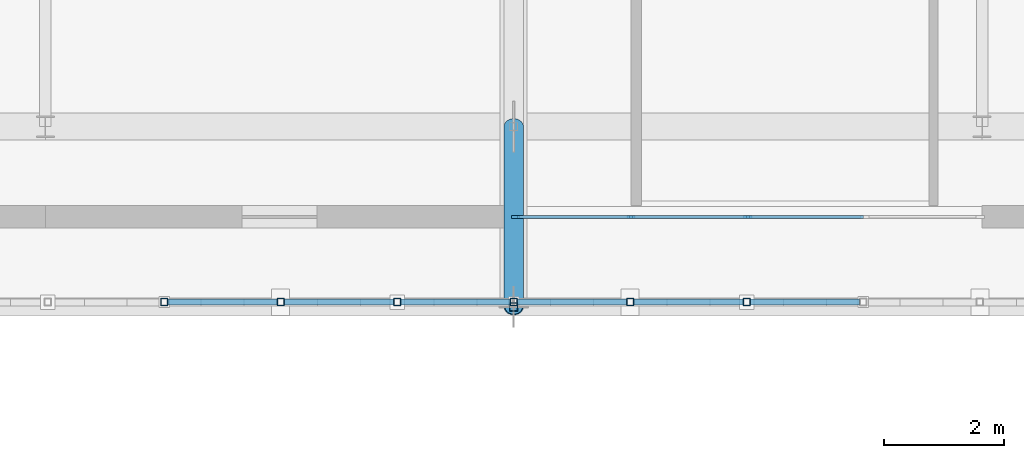
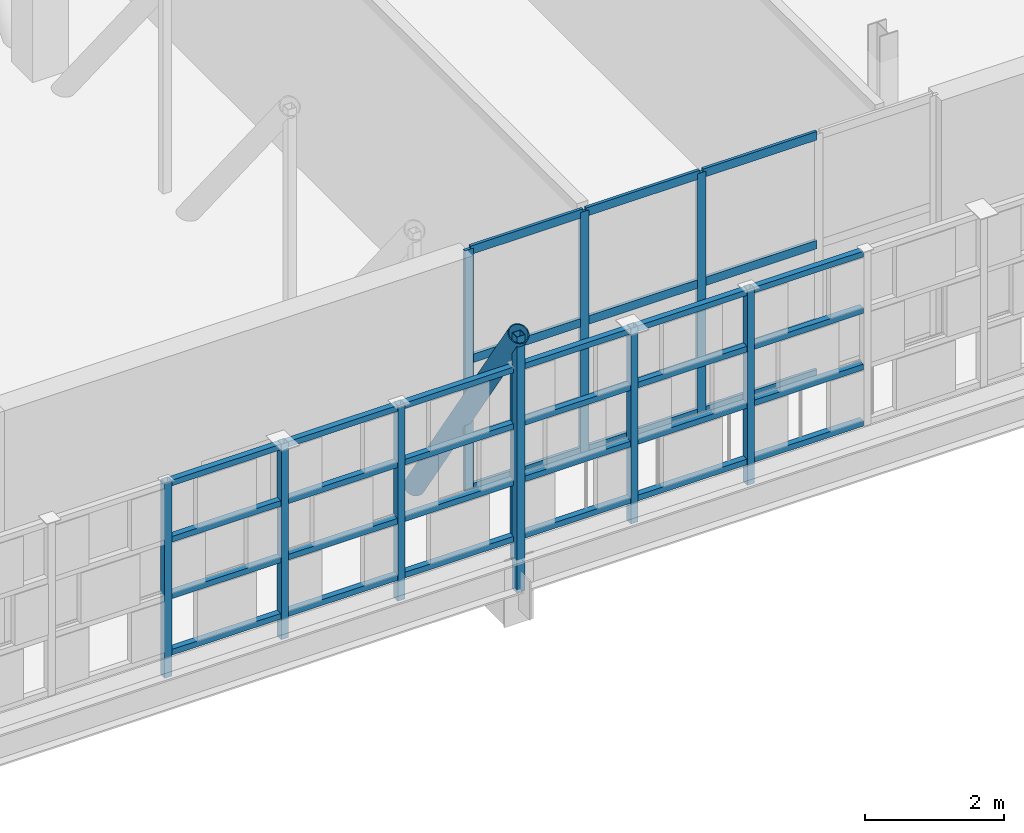
# One storey, part 35 of 119: 47 members, 1 element without a shape of its own.
"""IFC4 building model written with IfcOpenShell, lengths in metres."""

from ifc_helpers import new_model, si_unit, direction, frame, origin, origin_2d, place, context, subcontext, project, spatial, rectangle, hollow_rectangle, hollow_circle, extrude, material, layer, layer_set, material_profile, profile_set, type_object, element, aggregate, save


model = new_model("IFC4")

# Units and contexts
model_context = context("Model", 3, precision=1e-05, world=origin(), true_north=direction((0.0, 1.0)))
body_context = subcontext(model_context, "Body", "Model", "MODEL_VIEW")
ifc_project = project(units=[si_unit("LENGTHUNIT", "METRE"), si_unit("AREAUNIT", "SQUARE_METRE"), si_unit("VOLUMEUNIT", "CUBIC_METRE"), si_unit("PLANEANGLEUNIT", "RADIAN"), si_unit("MASSUNIT", "GRAM", prefix="KILO")], contexts=[model_context])

# Site, building, storey
site_placement = place(None, origin())
site = spatial("IfcSite", under=ifc_project, at=site_placement, CompositionType="ELEMENT")
building_placement = place(site_placement, origin())
building = spatial("IfcBuilding", under=site, at=building_placement, Name="Celorna Specialist Clinic", CompositionType="ELEMENT")
storey_placement = place(building_placement, frame((0.0, 0.0, 9.60009765625)))
storey = spatial("IfcBuildingStorey", under=building, at=storey_placement, Name="L02", CompositionType="ELEMENT", Elevation=9.60009765625)

# Members
ifc_material_1 = material(Name="Steel S355", Category="steel")
ifc_material_profile_1 = material_profile(ifc_material_1, hollow_circle(Radius=0.161865234375, WallThickness=0.01611328125, at=origin_2d()), Name="CHS 323.9x16")
ifc_profile_set_1 = profile_set([ifc_material_profile_1], Name="Steel S355")
member_type_1 = type_object("IfcMemberType", Name="MB-05", PredefinedType="BRACE", material=ifc_profile_set_1)
member_1_placement = place(storey_placement, frame((70.199951171875, 5.699951171875, 3.664794921875), z_axis=(0.0, 0.554700196225, -0.832050294338), x_axis=(-1.0, 0.0, 0.0)))
element("IfcMember", 1, at=member_1_placement, inside=storey, type_object=member_type_1, Name="Cantilever Pratt truss web diagonal WP-039-WP-049", PredefinedType="BRACE", context=body_context, shape_type="SweptSolid", body=[
    extrude(hollow_circle(Radius=0.161865234375, WallThickness=0.01611328125, at=origin_2d()), origin(), (0.0, 0.0, 1.0), 5.408447265625),
])
ifc_material_profile_2 = material_profile(ifc_material_1, hollow_rectangle(XDim=0.139892578125, YDim=0.139892578125, WallThickness=0.008056640625, at=origin_2d()), Name="SHS 140x140x8")
ifc_profile_set_2 = profile_set([ifc_material_profile_2], Name="Steel S355")
member_type_2 = type_object("IfcMemberType", Name="MB-10", PredefinedType="CHORD", material=ifc_profile_set_2)
member_2_placement = place(storey_placement, frame((70.199951171875, 5.699951171875, -0.835205078125), z_axis=(0.0, 0.0, 1.0), x_axis=(1.0, 0.0, 0.0)))
element("IfcMember", 2, at=member_2_placement, inside=storey, type_object=member_type_2, Name="Cantilever Pratt truss vertical post WP-034-WP-039", PredefinedType="CHORD", context=body_context, shape_type="SweptSolid", body=[
    extrude(hollow_rectangle(XDim=0.139892578125, YDim=0.139892578125, WallThickness=0.008056640625, at=origin_2d()), origin(), (0.0, 0.0, 1.0), 4.5),
])
ifc_material_profile_3 = material_profile(ifc_material_1, hollow_rectangle(XDim=0.1201171875, YDim=0.1201171875, WallThickness=0.008056640625, at=origin_2d()), Name="SHS 120x120x8")
ifc_profile_set_3 = profile_set([ifc_material_profile_3], Name="Steel S355")
member_type_3 = type_object("IfcMemberType", Name="MB-11", PredefinedType="STUD", material=ifc_profile_set_3)
for number, where, z_axis, x_axis, name in (
    (3, (64.3798828125, 5.780029296875, -0.360107421875), (0.0, 0.0, 1.0), (1.0, 0.0, 0.0), "Perforated screen steel post #6"),
    (4, (66.320068359375, 5.780029296875, -0.360107421875), (0.0, 0.0, 1.0), (1.0, 0.0, 0.0), "Perforated screen steel post #7"),
    (5, (68.260009765625, 5.780029296875, -0.360107421875), (0.0, 0.0, 1.0), (1.0, 0.0, 0.0), "Perforated screen steel post #8"),
    (6, (70.199951171875, 5.780029296875, -0.360107421875), (0.0, 0.0, 1.0), (1.0, 0.0, 0.0), "Perforated screen steel post #9"),
    (7, (72.139892578125, 5.780029296875, -0.360107421875), (0.0, 0.0, 1.0), (1.0, 0.0, 0.0), "Perforated screen steel post #10"),
    (8, (74.080078125, 5.780029296875, -0.360107421875), (0.0, 0.0, 1.0), (1.0, 0.0, 0.0), "Perforated screen steel post #11"),
):
    element("IfcMember", number, at=place(storey_placement, frame(where, z_axis=z_axis, x_axis=x_axis)), inside=storey, type_object=member_type_3, Name=name, PredefinedType="STUD", context=body_context, shape_type="SweptSolid", body=[
        extrude(hollow_rectangle(XDim=0.1201171875, YDim=0.1201171875, WallThickness=0.008056640625, at=origin_2d()), origin(), (0.0, 0.0, 1.0), 3.43994140625),
    ])
ifc_material_profile_4 = material_profile(ifc_material_1, hollow_rectangle(XDim=0.10009765625, YDim=0.10009765625, WallThickness=0.006103515625, at=origin_2d()), Name="SHS 100x100x6")
ifc_profile_set_4 = profile_set([ifc_material_profile_4], Name="Steel S355")
member_type_4 = type_object("IfcMemberType", Name="MB-12", PredefinedType="STUD", material=ifc_profile_set_4)
for number, where, z_axis, x_axis, name in (
    (9, (64.43994140625, 5.780029296875, 0.0498046875), (1.0, 0.0, 0.0), (0.0, 1.0, 0.0), "Perforated screen rail #38"),
    (10, (64.43994140625, 5.780029296875, 1.043212890625), (1.0, 0.0, 0.0), (0.0, 1.0, 0.0), "Perforated screen rail #39"),
    (11, (64.43994140625, 5.780029296875, 2.03662109375), (1.0, 0.0, 0.0), (0.0, 1.0, 0.0), "Perforated screen rail #40"),
    (12, (64.43994140625, 5.780029296875, 3.02978515625), (1.0, 0.0, 0.0), (0.0, 1.0, 0.0), "Perforated screen rail #41"),
    (13, (66.3798828125, 5.780029296875, 0.0498046875), (1.0, 0.0, 0.0), (0.0, 1.0, 0.0), "Perforated screen rail #42"),
    (14, (66.3798828125, 5.780029296875, 1.043212890625), (1.0, 0.0, 0.0), (0.0, 1.0, 0.0), "Perforated screen rail #43"),
    (15, (66.3798828125, 5.780029296875, 2.03662109375), (1.0, 0.0, 0.0), (0.0, 1.0, 0.0), "Perforated screen rail #44"),
    (16, (66.3798828125, 5.780029296875, 3.02978515625), (1.0, 0.0, 0.0), (0.0, 1.0, 0.0), "Perforated screen rail #45"),
):
    element("IfcMember", number, at=place(storey_placement, frame(where, z_axis=z_axis, x_axis=x_axis)), inside=storey, type_object=member_type_4, Name=name, PredefinedType="STUD", context=body_context, shape_type="SweptSolid", body=[
        extrude(hollow_rectangle(XDim=0.10009765625, YDim=0.10009765625, WallThickness=0.006103515625, at=origin_2d()), origin(), (0.0, 0.0, 1.0), 1.820068359375),
    ])
for number, where, z_axis, x_axis, name in (
    (17, (68.320068359375, 5.780029296875, 0.0498046875), (1.0, 0.0, 0.0), (0.0, 1.0, 0.0), "Perforated screen rail #46"),
    (18, (68.320068359375, 5.780029296875, 1.043212890625), (1.0, 0.0, 0.0), (0.0, 1.0, 0.0), "Perforated screen rail #47"),
    (19, (68.320068359375, 5.780029296875, 2.03662109375), (1.0, 0.0, 0.0), (0.0, 1.0, 0.0), "Perforated screen rail #48"),
    (20, (68.320068359375, 5.780029296875, 3.02978515625), (1.0, 0.0, 0.0), (0.0, 1.0, 0.0), "Perforated screen rail #49"),
):
    element("IfcMember", number, at=place(storey_placement, frame(where, z_axis=z_axis, x_axis=x_axis)), inside=storey, type_object=member_type_4, Name=name, PredefinedType="STUD", context=body_context, shape_type="SweptSolid", body=[
        extrude(hollow_rectangle(XDim=0.10009765625, YDim=0.10009765625, WallThickness=0.006103515625, at=origin_2d()), origin(), (0.0, 0.0, 1.0), 1.81982421875),
    ])
for number, where, z_axis, x_axis, name in (
    (21, (70.260009765625, 5.780029296875, 0.0498046875), (1.0, 0.0, 0.0), (0.0, 1.0, 0.0), "Perforated screen rail #50"),
    (22, (70.260009765625, 5.780029296875, 1.043212890625), (1.0, 0.0, 0.0), (0.0, 1.0, 0.0), "Perforated screen rail #51"),
    (23, (70.260009765625, 5.780029296875, 2.03662109375), (1.0, 0.0, 0.0), (0.0, 1.0, 0.0), "Perforated screen rail #52"),
    (24, (70.260009765625, 5.780029296875, 3.02978515625), (1.0, 0.0, 0.0), (0.0, 1.0, 0.0), "Perforated screen rail #53"),
    (25, (72.199951171875, 5.780029296875, 0.0498046875), (1.0, 0.0, 0.0), (0.0, 1.0, 0.0), "Perforated screen rail #54"),
    (26, (72.199951171875, 5.780029296875, 1.043212890625), (1.0, 0.0, 0.0), (0.0, 1.0, 0.0), "Perforated screen rail #55"),
    (27, (72.199951171875, 5.780029296875, 2.03662109375), (1.0, 0.0, 0.0), (0.0, 1.0, 0.0), "Perforated screen rail #56"),
    (28, (72.199951171875, 5.780029296875, 3.02978515625), (1.0, 0.0, 0.0), (0.0, 1.0, 0.0), "Perforated screen rail #57"),
    (29, (74.139892578125, 5.780029296875, 0.0498046875), (1.0, 0.0, 0.0), (0.0, 1.0, 0.0), "Perforated screen rail #58"),
    (30, (74.139892578125, 5.780029296875, 1.043212890625), (1.0, 0.0, 0.0), (0.0, 1.0, 0.0), "Perforated screen rail #59"),
    (31, (74.139892578125, 5.780029296875, 2.03662109375), (1.0, 0.0, 0.0), (0.0, 1.0, 0.0), "Perforated screen rail #60"),
    (32, (74.139892578125, 5.780029296875, 3.02978515625), (1.0, 0.0, 0.0), (0.0, 1.0, 0.0), "Perforated screen rail #61"),
):
    element("IfcMember", number, at=place(storey_placement, frame(where, z_axis=z_axis, x_axis=x_axis)), inside=storey, type_object=member_type_4, Name=name, PredefinedType="STUD", context=body_context, shape_type="SweptSolid", body=[
        extrude(hollow_rectangle(XDim=0.10009765625, YDim=0.10009765625, WallThickness=0.006103515625, at=origin_2d()), origin(), (0.0, 0.0, 1.0), 1.820068359375),
    ])

# Curtain wall, members
ifc_material_2 = material(Name="Thermally broken aluminium and solar-control glass curtain wall", Category="aluminium")
ifc_layer = layer(ifc_material_2, 0.159912109375, Name="Thermally broken aluminium and solar-control glass curtain wall")
ifc_layer_set = layer_set([ifc_layer], Name="Thermally broken aluminium and solar-control glass curtain wall")
curtain_wall_type = type_object("IfcCurtainWallType", Name="CW-32", PredefinedType="NOTDEFINED", material=ifc_layer_set)
curtain_wall_placement = place(storey_placement, origin())
curtain_wall = element("IfcCurtainWall", 33, at=curtain_wall_placement, inside=storey, type_object=curtain_wall_type, Name="Curtain wall CW-32 #196", PredefinedType="NOTDEFINED")
ifc_material_3 = material(Name="Anodized aluminium mullion", Category="aluminium")
ifc_material_profile_5 = material_profile(ifc_material_3, rectangle(XDim=0.050048828125, YDim=0.139892578125, at=origin_2d()), Name="ALU MULLION 50x140")
ifc_profile_set_5 = profile_set([ifc_material_profile_5], Name="Anodized aluminium mullion")
member_type_5 = type_object("IfcMemberType", Name="ML-03", PredefinedType="MULLION", material=ifc_profile_set_5)
member_3_placement = place(storey_placement, frame((74.10009765625, 7.199951171875, 0.0), z_axis=(0.0, 0.0, 1.0), x_axis=(0.0, -1.0, 0.0)))
member_3 = element("IfcMember", 34, at=member_3_placement, type_object=member_type_5, Name="CW-32 mullion 3", PredefinedType="MULLION", context=body_context, shape_type="SweptSolid", body=[
    extrude(rectangle(XDim=0.050048828125, YDim=0.139892578125, at=origin_2d()), origin(), (0.0, 0.0, 1.0), 4.239990234375),
])
member_4_placement = place(storey_placement, frame((72.152099609375, 7.199951171875, 0.0), z_axis=(0.0, 0.0, 1.0), x_axis=(0.0, -1.0, 0.0)))
member_4 = element("IfcMember", 35, at=member_4_placement, type_object=member_type_5, Name="CW-32 mullion 4", PredefinedType="MULLION", context=body_context, shape_type="SweptSolid", body=[
    extrude(rectangle(XDim=0.050048828125, YDim=0.139892578125, at=origin_2d()), origin(), (0.0, 0.0, 1.0), 4.239990234375),
])
member_5_placement = place(storey_placement, frame((70.22900390625, 7.199951171875, 0.0), z_axis=(0.0, 0.0, 1.0), x_axis=(0.0, -1.0, 0.0)))
member_5 = element("IfcMember", 36, at=member_5_placement, type_object=member_type_5, Name="CW-32 mullion 5", PredefinedType="MULLION", context=body_context, shape_type="SweptSolid", body=[
    extrude(rectangle(XDim=0.050048828125, YDim=0.139892578125, at=origin_2d()), origin(), (0.0, 0.0, 1.0), 4.239990234375),
])
ifc_material_4 = material(Name="Anodized aluminium transom", Category="aluminium")
ifc_material_profile_6 = material_profile(ifc_material_4, rectangle(XDim=0.050048828125, YDim=0.14990234375, at=origin_2d()), Name="ALU TRANSOM 50x150")
ifc_profile_set_6 = profile_set([ifc_material_profile_6], Name="Anodized aluminium transom")
member_type_6 = type_object("IfcMemberType", Name="TR-02", PredefinedType="USERDEFINED", material=ifc_profile_set_6)
member_6_placement = place(storey_placement, frame((76.02294921875, 7.199951171875, 0.02490234375), z_axis=(-1.0, 0.0, 0.0), x_axis=(0.0, -1.0, 0.0)))
member_6 = element("IfcMember", 37, at=member_6_placement, type_object=member_type_6, Name="CW-32 transom 2.1", ObjectType="TRANSOM", PredefinedType="USERDEFINED", context=body_context, shape_type="SweptSolid", body=[
    extrude(rectangle(XDim=0.050048828125, YDim=0.14990234375, at=origin_2d()), origin(), (0.0, 0.0, 1.0), 1.89794921875),
])
member_7_placement = place(storey_placement, frame((76.02294921875, 7.199951171875, 0.89990234375), z_axis=(-1.0, 0.0, 0.0), x_axis=(0.0, -1.0, 0.0)))
member_7 = element("IfcMember", 38, at=member_7_placement, type_object=member_type_6, Name="CW-32 transom 2.2", ObjectType="TRANSOM", PredefinedType="USERDEFINED", context=body_context, shape_type="SweptSolid", body=[
    extrude(rectangle(XDim=0.050048828125, YDim=0.14990234375, at=origin_2d()), origin(), (0.0, 0.0, 1.0), 1.89794921875),
])
member_8_placement = place(storey_placement, frame((76.02294921875, 7.199951171875, 2.2998046875), z_axis=(-1.0, 0.0, 0.0), x_axis=(0.0, -1.0, 0.0)))
member_8 = element("IfcMember", 39, at=member_8_placement, type_object=member_type_6, Name="CW-32 transom 2.3", ObjectType="TRANSOM", PredefinedType="USERDEFINED", context=body_context, shape_type="SweptSolid", body=[
    extrude(rectangle(XDim=0.050048828125, YDim=0.14990234375, at=origin_2d()), origin(), (0.0, 0.0, 1.0), 1.89794921875),
])
member_9_placement = place(storey_placement, frame((76.02294921875, 7.199951171875, 4.21484375), z_axis=(-1.0, 0.0, 0.0), x_axis=(0.0, -1.0, 0.0)))
member_9 = element("IfcMember", 40, at=member_9_placement, type_object=member_type_6, Name="CW-32 transom 2.4", ObjectType="TRANSOM", PredefinedType="USERDEFINED", context=body_context, shape_type="SweptSolid", body=[
    extrude(rectangle(XDim=0.050048828125, YDim=0.14990234375, at=origin_2d()), origin(), (0.0, 0.0, 1.0), 1.89794921875),
])
member_10_placement = place(storey_placement, frame((74.074951171875, 7.199951171875, 0.02490234375), z_axis=(-1.0, 0.0, 0.0), x_axis=(0.0, -1.0, 0.0)))
member_10 = element("IfcMember", 41, at=member_10_placement, type_object=member_type_6, Name="CW-32 transom 3.1", ObjectType="TRANSOM", PredefinedType="USERDEFINED", context=body_context, shape_type="SweptSolid", body=[
    extrude(rectangle(XDim=0.050048828125, YDim=0.14990234375, at=origin_2d()), origin(), (0.0, 0.0, 1.0), 1.89794921875),
])
member_11_placement = place(storey_placement, frame((74.074951171875, 7.199951171875, 0.89990234375), z_axis=(-1.0, 0.0, 0.0), x_axis=(0.0, -1.0, 0.0)))
member_11 = element("IfcMember", 42, at=member_11_placement, type_object=member_type_6, Name="CW-32 transom 3.2", ObjectType="TRANSOM", PredefinedType="USERDEFINED", context=body_context, shape_type="SweptSolid", body=[
    extrude(rectangle(XDim=0.050048828125, YDim=0.14990234375, at=origin_2d()), origin(), (0.0, 0.0, 1.0), 1.89794921875),
])
member_12_placement = place(storey_placement, frame((74.074951171875, 7.199951171875, 2.2998046875), z_axis=(-1.0, 0.0, 0.0), x_axis=(0.0, -1.0, 0.0)))
member_12 = element("IfcMember", 43, at=member_12_placement, type_object=member_type_6, Name="CW-32 transom 3.3", ObjectType="TRANSOM", PredefinedType="USERDEFINED", context=body_context, shape_type="SweptSolid", body=[
    extrude(rectangle(XDim=0.050048828125, YDim=0.14990234375, at=origin_2d()), origin(), (0.0, 0.0, 1.0), 1.89794921875),
])
member_13_placement = place(storey_placement, frame((74.074951171875, 7.199951171875, 4.21484375), z_axis=(-1.0, 0.0, 0.0), x_axis=(0.0, -1.0, 0.0)))
member_13 = element("IfcMember", 44, at=member_13_placement, type_object=member_type_6, Name="CW-32 transom 3.4", ObjectType="TRANSOM", PredefinedType="USERDEFINED", context=body_context, shape_type="SweptSolid", body=[
    extrude(rectangle(XDim=0.050048828125, YDim=0.14990234375, at=origin_2d()), origin(), (0.0, 0.0, 1.0), 1.89794921875),
])
member_14_placement = place(storey_placement, frame((72.126953125, 7.199951171875, 0.02490234375), z_axis=(-1.0, 0.0, 0.0), x_axis=(0.0, -1.0, 0.0)))
member_14 = element("IfcMember", 45, at=member_14_placement, type_object=member_type_6, Name="CW-32 transom 4.1", ObjectType="TRANSOM", PredefinedType="USERDEFINED", context=body_context, shape_type="SweptSolid", body=[
    extrude(rectangle(XDim=0.050048828125, YDim=0.14990234375, at=origin_2d()), origin(), (0.0, 0.0, 1.0), 1.873046875),
])
member_15_placement = place(storey_placement, frame((72.126953125, 7.199951171875, 0.89990234375), z_axis=(-1.0, 0.0, 0.0), x_axis=(0.0, -1.0, 0.0)))
member_15 = element("IfcMember", 46, at=member_15_placement, type_object=member_type_6, Name="CW-32 transom 4.2", ObjectType="TRANSOM", PredefinedType="USERDEFINED", context=body_context, shape_type="SweptSolid", body=[
    extrude(rectangle(XDim=0.050048828125, YDim=0.14990234375, at=origin_2d()), origin(), (0.0, 0.0, 1.0), 1.873046875),
])
member_16_placement = place(storey_placement, frame((72.126953125, 7.199951171875, 2.2998046875), z_axis=(-1.0, 0.0, 0.0), x_axis=(0.0, -1.0, 0.0)))
member_16 = element("IfcMember", 47, at=member_16_placement, type_object=member_type_6, Name="CW-32 transom 4.3", ObjectType="TRANSOM", PredefinedType="USERDEFINED", context=body_context, shape_type="SweptSolid", body=[
    extrude(rectangle(XDim=0.050048828125, YDim=0.14990234375, at=origin_2d()), origin(), (0.0, 0.0, 1.0), 1.873046875),
])
member_17_placement = place(storey_placement, frame((72.126953125, 7.199951171875, 4.21484375), z_axis=(-1.0, 0.0, 0.0), x_axis=(0.0, -1.0, 0.0)))
member_17 = element("IfcMember", 48, at=member_17_placement, type_object=member_type_6, Name="CW-32 transom 4.4", ObjectType="TRANSOM", PredefinedType="USERDEFINED", context=body_context, shape_type="SweptSolid", body=[
    extrude(rectangle(XDim=0.050048828125, YDim=0.14990234375, at=origin_2d()), origin(), (0.0, 0.0, 1.0), 1.873046875),
])
aggregate(curtain_wall, [member_3, member_4, member_5, member_6, member_7, member_8, member_9, member_10, member_11, member_12, member_13, member_14, member_15, member_16, member_17])

save(model, "model.ifc")
